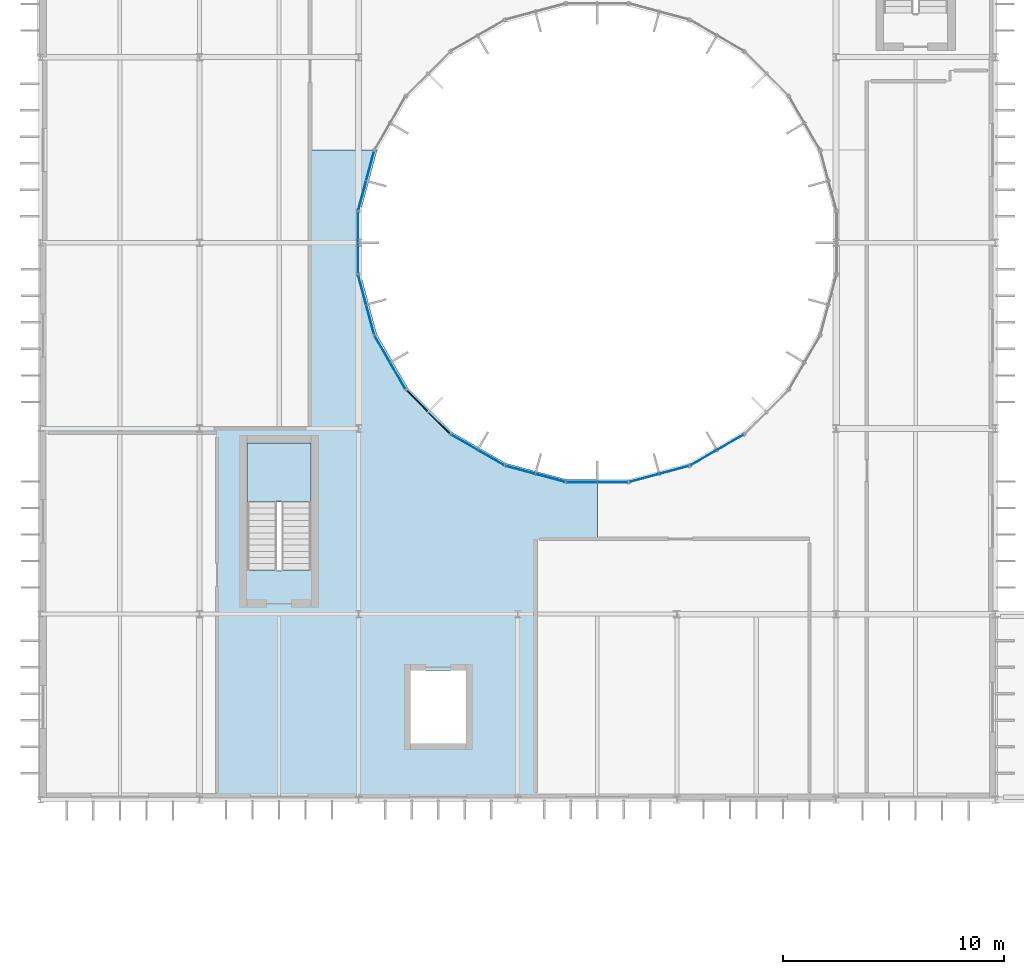
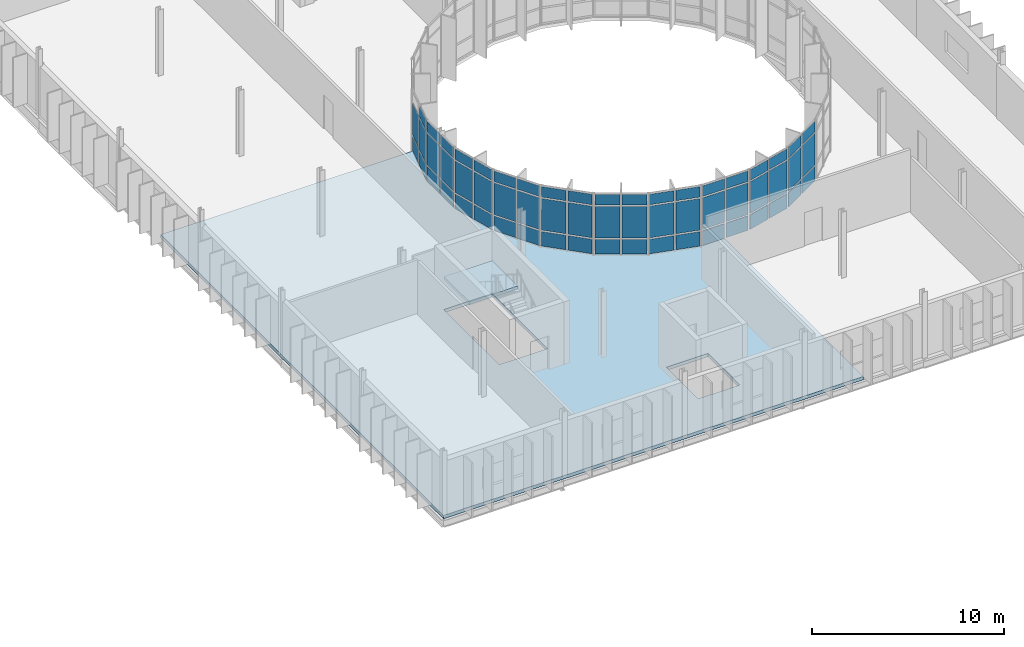
# One storey, part 33 of 61: 59 plates, 2 slabs, 11 elements without a shape of their own.
"""IFC4 building model written with IfcOpenShell, lengths in metres."""

from ifc_helpers import new_model, si_unit, direction, frame, origin, origin_2d, place, context, subcontext, project, spatial, polyline, rectangle, outline, extrude, material, layer, layer_set, type_object, element, aggregate, save


model = new_model("IFC4")

# Units and contexts
model_context = context("Model", 3, precision=1e-05, world=origin(), true_north=direction((0.0, 1.0)))
body_context = subcontext(model_context, "Body", "Model", "MODEL_VIEW")
ifc_project = project(units=[si_unit("LENGTHUNIT", "METRE"), si_unit("AREAUNIT", "SQUARE_METRE"), si_unit("VOLUMEUNIT", "CUBIC_METRE"), si_unit("PLANEANGLEUNIT", "RADIAN"), si_unit("MASSUNIT", "GRAM", prefix="KILO")], contexts=[model_context])

# Site, building, storey
site_placement = place(None, origin())
site = spatial("IfcSite", under=ifc_project, at=site_placement, CompositionType="ELEMENT")
building_placement = place(site_placement, origin())
building = spatial("IfcBuilding", under=site, at=building_placement, Name="Qelthora Terrace Specialist Clinic", CompositionType="ELEMENT")
storey_placement = place(building_placement, frame((0.0, 0.0, 13.199951171875)))
storey = spatial("IfcBuildingStorey", under=building, at=storey_placement, Name="L03", CompositionType="ELEMENT", Elevation=13.199951171875)

# Curtain wall, plates
ifc_material_1 = material(Name="Aluminium anodized bronze", Category="aluminium")
curtain_wall_type = type_object("IfcCurtainWallType", Name="CW-CRTW-UPP", PredefinedType="NOTDEFINED", material=ifc_material_1)
curtain_wall_1_placement = place(storey_placement, origin())
curtain_wall_1 = element("IfcCurtainWall", 1, at=curtain_wall_1_placement, inside=storey, type_object=curtain_wall_type, Name="Curtain wall CW-CW-L03-11", PredefinedType="NOTDEFINED")
ifc_material_2 = material(Name="Low-E triple-silver insulating glass", Category="glass")
ifc_layer_1 = layer(ifc_material_2, 0.035888671875)
ifc_layer_set_1 = layer_set([ifc_layer_1], Name="Low-E triple-silver insulating glass")
plate_type = type_object("IfcPlateType", Name="CWP-IGU-36", PredefinedType="CURTAIN_PANEL", material=ifc_layer_set_1)
plate_1_placement = place(storey_placement, frame((14.923828125, 87.483154296875, 0.085205078125), z_axis=(0.0, 0.0, 1.0), x_axis=(-0.258820730961, -0.965925374563, 0.0)))
plate_1 = element("IfcPlate", 2, at=plate_1_placement, type_object=plate_type, Name="CW-CW-L03-11 glazed panel 1", PredefinedType="CURTAIN_PANEL", context=body_context, shape_type="SweptSolid", body=[
    extrude(rectangle(XDim=1.3095703125, YDim=0.035888671875, at=origin_2d()), origin(), (0.0, 0.0, 1.0), 0.919921875),
])
plate_2_placement = place(storey_placement, frame((14.923828125, 87.483154296875, 1.09521484375), z_axis=(0.0, 0.0, 1.0), x_axis=(-0.258820730961, -0.965925374563, 0.0)))
plate_2 = element("IfcPlate", 3, at=plate_2_placement, type_object=plate_type, Name="CW-CW-L03-11 glazed panel 2", PredefinedType="CURTAIN_PANEL", context=body_context, shape_type="SweptSolid", body=[
    extrude(rectangle(XDim=1.3095703125, YDim=0.035888671875, at=origin_2d()), origin(), (0.0, 0.0, 1.0), 2.0048828125),
])
plate_3_placement = place(storey_placement, frame((14.558837890625, 86.12158203125, 0.085205078125), z_axis=(0.0, 0.0, 1.0), x_axis=(-0.258820730961, -0.965925374563, 0.0)))
plate_3 = element("IfcPlate", 4, at=plate_3_placement, type_object=plate_type, Name="CW-CW-L03-11 glazed panel 4", PredefinedType="CURTAIN_PANEL", context=body_context, shape_type="SweptSolid", body=[
    extrude(rectangle(XDim=1.3095703125, YDim=0.035888671875, at=origin_2d()), origin(), (0.0, 0.0, 1.0), 0.919921875),
])
plate_4_placement = place(storey_placement, frame((14.558837890625, 86.12158203125, 1.09521484375), z_axis=(0.0, 0.0, 1.0), x_axis=(-0.258820730961, -0.965925374563, 0.0)))
plate_4 = element("IfcPlate", 5, at=plate_4_placement, type_object=plate_type, Name="CW-CW-L03-11 glazed panel 5", PredefinedType="CURTAIN_PANEL", context=body_context, shape_type="SweptSolid", body=[
    extrude(rectangle(XDim=1.3095703125, YDim=0.035888671875, at=origin_2d()), origin(), (0.0, 0.0, 1.0), 2.0048828125),
])
plate_5_placement = place(storey_placement, frame((14.558837890625, 86.12158203125, 3.190185546875), z_axis=(0.0, 0.0, 1.0), x_axis=(-0.258820730961, -0.965925374563, 0.0)))
plate_5 = element("IfcPlate", 6, at=plate_5_placement, type_object=plate_type, Name="CW-CW-L03-11 glazed panel 6", PredefinedType="CURTAIN_PANEL", context=body_context, shape_type="SweptSolid", body=[
    extrude(rectangle(XDim=1.3095703125, YDim=0.035888671875, at=origin_2d()), origin(), (0.0, 0.0, 1.0), 0.669921875),
])
aggregate(curtain_wall_1, [plate_1, plate_2, plate_3, plate_4, plate_5])

curtain_wall_2_placement = place(storey_placement, origin())
curtain_wall_2 = element("IfcCurtainWall", 7, at=curtain_wall_2_placement, inside=storey, type_object=curtain_wall_type, Name="Curtain wall CW-CW-L03-12", PredefinedType="NOTDEFINED")
plate_6_placement = place(storey_placement, frame((14.372314453125, 84.704833984375, 0.085205078125), z_axis=(0.0, 0.0, 1.0), x_axis=(0.0, -1.0, 0.0)))
plate_6 = element("IfcPlate", 8, at=plate_6_placement, type_object=plate_type, Name="CW-CW-L03-12 glazed panel 1", PredefinedType="CURTAIN_PANEL", context=body_context, shape_type="SweptSolid", body=[
    extrude(rectangle(XDim=1.3095703125, YDim=0.035888671875, at=origin_2d()), origin(), (0.0, 0.0, 1.0), 0.919921875),
])
plate_7_placement = place(storey_placement, frame((14.372314453125, 84.704833984375, 1.09521484375), z_axis=(0.0, 0.0, 1.0), x_axis=(0.0, -1.0, 0.0)))
plate_7 = element("IfcPlate", 9, at=plate_7_placement, type_object=plate_type, Name="CW-CW-L03-12 glazed panel 2", PredefinedType="CURTAIN_PANEL", context=body_context, shape_type="SweptSolid", body=[
    extrude(rectangle(XDim=1.3095703125, YDim=0.035888671875, at=origin_2d()), origin(), (0.0, 0.0, 1.0), 2.0048828125),
])
plate_8_placement = place(storey_placement, frame((14.372314453125, 84.704833984375, 3.190185546875), z_axis=(0.0, 0.0, 1.0), x_axis=(0.0, -1.0, 0.0)))
plate_8 = element("IfcPlate", 10, at=plate_8_placement, type_object=plate_type, Name="CW-CW-L03-12 glazed panel 3", PredefinedType="CURTAIN_PANEL", context=body_context, shape_type="SweptSolid", body=[
    extrude(rectangle(XDim=1.3095703125, YDim=0.035888671875, at=origin_2d()), origin(), (0.0, 0.0, 1.0), 0.669921875),
])
plate_9_placement = place(storey_placement, frame((14.372314453125, 83.295166015625, 0.085205078125), z_axis=(0.0, 0.0, 1.0), x_axis=(0.0, -1.0, 0.0)))
plate_9 = element("IfcPlate", 11, at=plate_9_placement, type_object=plate_type, Name="CW-CW-L03-12 glazed panel 4", PredefinedType="CURTAIN_PANEL", context=body_context, shape_type="SweptSolid", body=[
    extrude(rectangle(XDim=1.3095703125, YDim=0.035888671875, at=origin_2d()), origin(), (0.0, 0.0, 1.0), 0.919921875),
])
plate_10_placement = place(storey_placement, frame((14.372314453125, 83.295166015625, 1.09521484375), z_axis=(0.0, 0.0, 1.0), x_axis=(0.0, -1.0, 0.0)))
plate_10 = element("IfcPlate", 12, at=plate_10_placement, type_object=plate_type, Name="CW-CW-L03-12 glazed panel 5", PredefinedType="CURTAIN_PANEL", context=body_context, shape_type="SweptSolid", body=[
    extrude(rectangle(XDim=1.3095703125, YDim=0.035888671875, at=origin_2d()), origin(), (0.0, 0.0, 1.0), 2.0048828125),
])
plate_11_placement = place(storey_placement, frame((14.372314453125, 83.295166015625, 3.190185546875), z_axis=(0.0, 0.0, 1.0), x_axis=(0.0, -1.0, 0.0)))
plate_11 = element("IfcPlate", 13, at=plate_11_placement, type_object=plate_type, Name="CW-CW-L03-12 glazed panel 6", PredefinedType="CURTAIN_PANEL", context=body_context, shape_type="SweptSolid", body=[
    extrude(rectangle(XDim=1.3095703125, YDim=0.035888671875, at=origin_2d()), origin(), (0.0, 0.0, 1.0), 0.669921875),
])
aggregate(curtain_wall_2, [plate_6, plate_7, plate_8, plate_9, plate_10, plate_11])

curtain_wall_3_placement = place(storey_placement, origin())
curtain_wall_3 = element("IfcCurtainWall", 14, at=curtain_wall_3_placement, inside=storey, type_object=curtain_wall_type, Name="Curtain wall CW-CW-L03-13", PredefinedType="NOTDEFINED")
plate_12_placement = place(storey_placement, frame((14.558837890625, 81.87841796875, 0.085205078125), z_axis=(0.0, 0.0, 1.0), x_axis=(0.258820730961, -0.965925374563, 0.0)))
plate_12 = element("IfcPlate", 15, at=plate_12_placement, type_object=plate_type, Name="CW-CW-L03-13 glazed panel 1", PredefinedType="CURTAIN_PANEL", context=body_context, shape_type="SweptSolid", body=[
    extrude(rectangle(XDim=1.3095703125, YDim=0.035888671875, at=origin_2d()), origin(), (0.0, 0.0, 1.0), 0.919921875),
])
plate_13_placement = place(storey_placement, frame((14.558837890625, 81.87841796875, 1.09521484375), z_axis=(0.0, 0.0, 1.0), x_axis=(0.258820730961, -0.965925374563, 0.0)))
plate_13 = element("IfcPlate", 16, at=plate_13_placement, type_object=plate_type, Name="CW-CW-L03-13 glazed panel 2", PredefinedType="CURTAIN_PANEL", context=body_context, shape_type="SweptSolid", body=[
    extrude(rectangle(XDim=1.3095703125, YDim=0.035888671875, at=origin_2d()), origin(), (0.0, 0.0, 1.0), 2.0048828125),
])
plate_14_placement = place(storey_placement, frame((14.558837890625, 81.87841796875, 3.190185546875), z_axis=(0.0, 0.0, 1.0), x_axis=(0.258820730961, -0.965925374563, 0.0)))
plate_14 = element("IfcPlate", 17, at=plate_14_placement, type_object=plate_type, Name="CW-CW-L03-13 glazed panel 3", PredefinedType="CURTAIN_PANEL", context=body_context, shape_type="SweptSolid", body=[
    extrude(rectangle(XDim=1.3095703125, YDim=0.035888671875, at=origin_2d()), origin(), (0.0, 0.0, 1.0), 0.669921875),
])
plate_15_placement = place(storey_placement, frame((14.923828125, 80.516845703125, 0.085205078125), z_axis=(0.0, 0.0, 1.0), x_axis=(0.258820730961, -0.965925374563, 0.0)))
plate_15 = element("IfcPlate", 18, at=plate_15_placement, type_object=plate_type, Name="CW-CW-L03-13 glazed panel 4", PredefinedType="CURTAIN_PANEL", context=body_context, shape_type="SweptSolid", body=[
    extrude(rectangle(XDim=1.3095703125, YDim=0.035888671875, at=origin_2d()), origin(), (0.0, 0.0, 1.0), 0.919921875),
])
plate_16_placement = place(storey_placement, frame((14.923828125, 80.516845703125, 1.09521484375), z_axis=(0.0, 0.0, 1.0), x_axis=(0.258820730961, -0.965925374563, 0.0)))
plate_16 = element("IfcPlate", 19, at=plate_16_placement, type_object=plate_type, Name="CW-CW-L03-13 glazed panel 5", PredefinedType="CURTAIN_PANEL", context=body_context, shape_type="SweptSolid", body=[
    extrude(rectangle(XDim=1.3095703125, YDim=0.035888671875, at=origin_2d()), origin(), (0.0, 0.0, 1.0), 2.0048828125),
])
plate_17_placement = place(storey_placement, frame((14.923828125, 80.516845703125, 3.190185546875), z_axis=(0.0, 0.0, 1.0), x_axis=(0.258820730961, -0.965925374563, 0.0)))
plate_17 = element("IfcPlate", 20, at=plate_17_placement, type_object=plate_type, Name="CW-CW-L03-13 glazed panel 6", PredefinedType="CURTAIN_PANEL", context=body_context, shape_type="SweptSolid", body=[
    extrude(rectangle(XDim=1.3095703125, YDim=0.035888671875, at=origin_2d()), origin(), (0.0, 0.0, 1.0), 0.669921875),
])
aggregate(curtain_wall_3, [plate_12, plate_13, plate_14, plate_15, plate_16, plate_17])

curtain_wall_4_placement = place(storey_placement, origin())
curtain_wall_4 = element("IfcCurtainWall", 21, at=curtain_wall_4_placement, inside=storey, type_object=curtain_wall_type, Name="Curtain wall CW-CW-L03-14", PredefinedType="NOTDEFINED")
plate_18_placement = place(storey_placement, frame((15.470703125, 79.196533203125, 0.085205078125), z_axis=(0.0, 0.0, 1.0), x_axis=(0.5, -0.866025403784, 0.0)))
plate_18 = element("IfcPlate", 22, at=plate_18_placement, type_object=plate_type, Name="CW-CW-L03-14 glazed panel 1", PredefinedType="CURTAIN_PANEL", context=body_context, shape_type="SweptSolid", body=[
    extrude(rectangle(XDim=1.3095703125, YDim=0.035888671875, at=origin_2d()), origin(), (0.0, 0.0, 1.0), 0.919921875),
])
plate_19_placement = place(storey_placement, frame((15.470703125, 79.196533203125, 1.09521484375), z_axis=(0.0, 0.0, 1.0), x_axis=(0.5, -0.866025403784, 0.0)))
plate_19 = element("IfcPlate", 23, at=plate_19_placement, type_object=plate_type, Name="CW-CW-L03-14 glazed panel 2", PredefinedType="CURTAIN_PANEL", context=body_context, shape_type="SweptSolid", body=[
    extrude(rectangle(XDim=1.3095703125, YDim=0.035888671875, at=origin_2d()), origin(), (0.0, 0.0, 1.0), 2.0048828125),
])
plate_20_placement = place(storey_placement, frame((15.470703125, 79.196533203125, 3.190185546875), z_axis=(0.0, 0.0, 1.0), x_axis=(0.5, -0.866025403784, 0.0)))
plate_20 = element("IfcPlate", 24, at=plate_20_placement, type_object=plate_type, Name="CW-CW-L03-14 glazed panel 3", PredefinedType="CURTAIN_PANEL", context=body_context, shape_type="SweptSolid", body=[
    extrude(rectangle(XDim=1.3095703125, YDim=0.035888671875, at=origin_2d()), origin(), (0.0, 0.0, 1.0), 0.669921875),
])
plate_21_placement = place(storey_placement, frame((16.175537109375, 77.975830078125, 0.085205078125), z_axis=(0.0, 0.0, 1.0), x_axis=(0.5, -0.866025403784, 0.0)))
plate_21 = element("IfcPlate", 25, at=plate_21_placement, type_object=plate_type, Name="CW-CW-L03-14 glazed panel 4", PredefinedType="CURTAIN_PANEL", context=body_context, shape_type="SweptSolid", body=[
    extrude(rectangle(XDim=1.3095703125, YDim=0.035888671875, at=origin_2d()), origin(), (0.0, 0.0, 1.0), 0.919921875),
])
plate_22_placement = place(storey_placement, frame((16.175537109375, 77.975830078125, 1.09521484375), z_axis=(0.0, 0.0, 1.0), x_axis=(0.5, -0.866025403784, 0.0)))
plate_22 = element("IfcPlate", 26, at=plate_22_placement, type_object=plate_type, Name="CW-CW-L03-14 glazed panel 5", PredefinedType="CURTAIN_PANEL", context=body_context, shape_type="SweptSolid", body=[
    extrude(rectangle(XDim=1.3095703125, YDim=0.035888671875, at=origin_2d()), origin(), (0.0, 0.0, 1.0), 2.0048828125),
])
plate_23_placement = place(storey_placement, frame((16.175537109375, 77.975830078125, 3.190185546875), z_axis=(0.0, 0.0, 1.0), x_axis=(0.5, -0.866025403784, 0.0)))
plate_23 = element("IfcPlate", 27, at=plate_23_placement, type_object=plate_type, Name="CW-CW-L03-14 glazed panel 6", PredefinedType="CURTAIN_PANEL", context=body_context, shape_type="SweptSolid", body=[
    extrude(rectangle(XDim=1.3095703125, YDim=0.035888671875, at=origin_2d()), origin(), (0.0, 0.0, 1.0), 0.669921875),
])
aggregate(curtain_wall_4, [plate_18, plate_19, plate_20, plate_21, plate_22, plate_23])

curtain_wall_5_placement = place(storey_placement, origin())
curtain_wall_5 = element("IfcCurtainWall", 28, at=curtain_wall_5_placement, inside=storey, type_object=curtain_wall_type, Name="Curtain wall CW-CW-L03-15", PredefinedType="NOTDEFINED")
plate_24_placement = place(storey_placement, frame((17.04541015625, 76.842041015625, 0.085205078125), z_axis=(0.0, 0.0, 1.0), x_axis=(0.707106781187, -0.707106781187, 0.0)))
plate_24 = element("IfcPlate", 29, at=plate_24_placement, type_object=plate_type, Name="CW-CW-L03-15 glazed panel 1", PredefinedType="CURTAIN_PANEL", context=body_context, shape_type="SweptSolid", body=[
    extrude(rectangle(XDim=1.3095703125, YDim=0.035888671875, at=origin_2d()), origin(), (0.0, 0.0, 1.0), 0.919921875),
])
plate_25_placement = place(storey_placement, frame((17.04541015625, 76.842041015625, 1.09521484375), z_axis=(0.0, 0.0, 1.0), x_axis=(0.707106781187, -0.707106781187, 0.0)))
plate_25 = element("IfcPlate", 30, at=plate_25_placement, type_object=plate_type, Name="CW-CW-L03-15 glazed panel 2", PredefinedType="CURTAIN_PANEL", context=body_context, shape_type="SweptSolid", body=[
    extrude(rectangle(XDim=1.3095703125, YDim=0.035888671875, at=origin_2d()), origin(), (0.0, 0.0, 1.0), 2.0048828125),
])
plate_26_placement = place(storey_placement, frame((17.04541015625, 76.842041015625, 3.190185546875), z_axis=(0.0, 0.0, 1.0), x_axis=(0.707106781187, -0.707106781187, 0.0)))
plate_26 = element("IfcPlate", 31, at=plate_26_placement, type_object=plate_type, Name="CW-CW-L03-15 glazed panel 3", PredefinedType="CURTAIN_PANEL", context=body_context, shape_type="SweptSolid", body=[
    extrude(rectangle(XDim=1.3095703125, YDim=0.035888671875, at=origin_2d()), origin(), (0.0, 0.0, 1.0), 0.669921875),
])
plate_27_placement = place(storey_placement, frame((18.042236328125, 75.84521484375, 0.085205078125), z_axis=(0.0, 0.0, 1.0), x_axis=(0.707106781187, -0.707106781187, 0.0)))
plate_27 = element("IfcPlate", 32, at=plate_27_placement, type_object=plate_type, Name="CW-CW-L03-15 glazed panel 4", PredefinedType="CURTAIN_PANEL", context=body_context, shape_type="SweptSolid", body=[
    extrude(rectangle(XDim=1.3095703125, YDim=0.035888671875, at=origin_2d()), origin(), (0.0, 0.0, 1.0), 0.919921875),
])
plate_28_placement = place(storey_placement, frame((18.042236328125, 75.84521484375, 1.09521484375), z_axis=(0.0, 0.0, 1.0), x_axis=(0.707106781187, -0.707106781187, 0.0)))
plate_28 = element("IfcPlate", 33, at=plate_28_placement, type_object=plate_type, Name="CW-CW-L03-15 glazed panel 5", PredefinedType="CURTAIN_PANEL", context=body_context, shape_type="SweptSolid", body=[
    extrude(rectangle(XDim=1.3095703125, YDim=0.035888671875, at=origin_2d()), origin(), (0.0, 0.0, 1.0), 2.0048828125),
])
plate_29_placement = place(storey_placement, frame((18.042236328125, 75.84521484375, 3.190185546875), z_axis=(0.0, 0.0, 1.0), x_axis=(0.707106781187, -0.707106781187, 0.0)))
plate_29 = element("IfcPlate", 34, at=plate_29_placement, type_object=plate_type, Name="CW-CW-L03-15 glazed panel 6", PredefinedType="CURTAIN_PANEL", context=body_context, shape_type="SweptSolid", body=[
    extrude(rectangle(XDim=1.3095703125, YDim=0.035888671875, at=origin_2d()), origin(), (0.0, 0.0, 1.0), 0.669921875),
])
aggregate(curtain_wall_5, [plate_24, plate_25, plate_26, plate_27, plate_28, plate_29])

curtain_wall_6_placement = place(storey_placement, origin())
curtain_wall_6 = element("IfcCurtainWall", 35, at=curtain_wall_6_placement, inside=storey, type_object=curtain_wall_type, Name="Curtain wall CW-CW-L03-16", PredefinedType="NOTDEFINED")
plate_30_placement = place(storey_placement, frame((19.17578125, 74.975341796875, 0.085205078125), z_axis=(0.0, 0.0, 1.0), x_axis=(0.866025403784, -0.5, 0.0)))
plate_30 = element("IfcPlate", 36, at=plate_30_placement, type_object=plate_type, Name="CW-CW-L03-16 glazed panel 1", PredefinedType="CURTAIN_PANEL", context=body_context, shape_type="SweptSolid", body=[
    extrude(rectangle(XDim=1.3095703125, YDim=0.035888671875, at=origin_2d()), origin(), (0.0, 0.0, 1.0), 0.919921875),
])
plate_31_placement = place(storey_placement, frame((19.17578125, 74.975341796875, 1.09521484375), z_axis=(0.0, 0.0, 1.0), x_axis=(0.866025403784, -0.5, 0.0)))
plate_31 = element("IfcPlate", 37, at=plate_31_placement, type_object=plate_type, Name="CW-CW-L03-16 glazed panel 2", PredefinedType="CURTAIN_PANEL", context=body_context, shape_type="SweptSolid", body=[
    extrude(rectangle(XDim=1.3095703125, YDim=0.035888671875, at=origin_2d()), origin(), (0.0, 0.0, 1.0), 2.0048828125),
])
plate_32_placement = place(storey_placement, frame((19.17578125, 74.975341796875, 3.190185546875), z_axis=(0.0, 0.0, 1.0), x_axis=(0.866025403784, -0.5, 0.0)))
plate_32 = element("IfcPlate", 38, at=plate_32_placement, type_object=plate_type, Name="CW-CW-L03-16 glazed panel 3", PredefinedType="CURTAIN_PANEL", context=body_context, shape_type="SweptSolid", body=[
    extrude(rectangle(XDim=1.3095703125, YDim=0.035888671875, at=origin_2d()), origin(), (0.0, 0.0, 1.0), 0.669921875),
])
plate_33_placement = place(storey_placement, frame((20.396728515625, 74.2705078125, 0.085205078125), z_axis=(0.0, 0.0, 1.0), x_axis=(0.866025403784, -0.5, 0.0)))
plate_33 = element("IfcPlate", 39, at=plate_33_placement, type_object=plate_type, Name="CW-CW-L03-16 glazed panel 4", PredefinedType="CURTAIN_PANEL", context=body_context, shape_type="SweptSolid", body=[
    extrude(rectangle(XDim=1.3095703125, YDim=0.035888671875, at=origin_2d()), origin(), (0.0, 0.0, 1.0), 0.919921875),
])
plate_34_placement = place(storey_placement, frame((20.396728515625, 74.2705078125, 1.09521484375), z_axis=(0.0, 0.0, 1.0), x_axis=(0.866025403784, -0.5, 0.0)))
plate_34 = element("IfcPlate", 40, at=plate_34_placement, type_object=plate_type, Name="CW-CW-L03-16 glazed panel 5", PredefinedType="CURTAIN_PANEL", context=body_context, shape_type="SweptSolid", body=[
    extrude(rectangle(XDim=1.3095703125, YDim=0.035888671875, at=origin_2d()), origin(), (0.0, 0.0, 1.0), 2.0048828125),
])
plate_35_placement = place(storey_placement, frame((20.396728515625, 74.2705078125, 3.190185546875), z_axis=(0.0, 0.0, 1.0), x_axis=(0.866025403784, -0.5, 0.0)))
plate_35 = element("IfcPlate", 41, at=plate_35_placement, type_object=plate_type, Name="CW-CW-L03-16 glazed panel 6", PredefinedType="CURTAIN_PANEL", context=body_context, shape_type="SweptSolid", body=[
    extrude(rectangle(XDim=1.3095703125, YDim=0.035888671875, at=origin_2d()), origin(), (0.0, 0.0, 1.0), 0.669921875),
])
aggregate(curtain_wall_6, [plate_30, plate_31, plate_32, plate_33, plate_34, plate_35])

curtain_wall_7_placement = place(storey_placement, origin())
curtain_wall_7 = element("IfcCurtainWall", 42, at=curtain_wall_7_placement, inside=storey, type_object=curtain_wall_type, Name="Curtain wall CW-CW-L03-17", PredefinedType="NOTDEFINED")
plate_36_placement = place(storey_placement, frame((21.716796875, 73.723876953125, 0.085205078125), z_axis=(0.0, 0.0, 1.0), x_axis=(0.965925374563, -0.258820730961, 0.0)))
plate_36 = element("IfcPlate", 43, at=plate_36_placement, type_object=plate_type, Name="CW-CW-L03-17 glazed panel 1", PredefinedType="CURTAIN_PANEL", context=body_context, shape_type="SweptSolid", body=[
    extrude(rectangle(XDim=1.3095703125, YDim=0.035888671875, at=origin_2d()), origin(), (0.0, 0.0, 1.0), 0.919921875),
])
plate_37_placement = place(storey_placement, frame((21.716796875, 73.723876953125, 1.09521484375), z_axis=(0.0, 0.0, 1.0), x_axis=(0.965925374563, -0.258820730961, 0.0)))
plate_37 = element("IfcPlate", 44, at=plate_37_placement, type_object=plate_type, Name="CW-CW-L03-17 glazed panel 2", PredefinedType="CURTAIN_PANEL", context=body_context, shape_type="SweptSolid", body=[
    extrude(rectangle(XDim=1.3095703125, YDim=0.035888671875, at=origin_2d()), origin(), (0.0, 0.0, 1.0), 2.0048828125),
])
plate_38_placement = place(storey_placement, frame((21.716796875, 73.723876953125, 3.190185546875), z_axis=(0.0, 0.0, 1.0), x_axis=(0.965925374563, -0.258820730961, 0.0)))
plate_38 = element("IfcPlate", 45, at=plate_38_placement, type_object=plate_type, Name="CW-CW-L03-17 glazed panel 3", PredefinedType="CURTAIN_PANEL", context=body_context, shape_type="SweptSolid", body=[
    extrude(rectangle(XDim=1.3095703125, YDim=0.035888671875, at=origin_2d()), origin(), (0.0, 0.0, 1.0), 0.669921875),
])
plate_39_placement = place(storey_placement, frame((23.078369140625, 73.35888671875, 0.085205078125), z_axis=(0.0, 0.0, 1.0), x_axis=(0.965925374563, -0.258820730961, 0.0)))
plate_39 = element("IfcPlate", 46, at=plate_39_placement, type_object=plate_type, Name="CW-CW-L03-17 glazed panel 4", PredefinedType="CURTAIN_PANEL", context=body_context, shape_type="SweptSolid", body=[
    extrude(rectangle(XDim=1.3095703125, YDim=0.035888671875, at=origin_2d()), origin(), (0.0, 0.0, 1.0), 0.919921875),
])
plate_40_placement = place(storey_placement, frame((23.078369140625, 73.35888671875, 1.09521484375), z_axis=(0.0, 0.0, 1.0), x_axis=(0.965925374563, -0.258820730961, 0.0)))
plate_40 = element("IfcPlate", 47, at=plate_40_placement, type_object=plate_type, Name="CW-CW-L03-17 glazed panel 5", PredefinedType="CURTAIN_PANEL", context=body_context, shape_type="SweptSolid", body=[
    extrude(rectangle(XDim=1.3095703125, YDim=0.035888671875, at=origin_2d()), origin(), (0.0, 0.0, 1.0), 2.0048828125),
])
plate_41_placement = place(storey_placement, frame((23.078369140625, 73.35888671875, 3.190185546875), z_axis=(0.0, 0.0, 1.0), x_axis=(0.965925374563, -0.258820730961, 0.0)))
plate_41 = element("IfcPlate", 48, at=plate_41_placement, type_object=plate_type, Name="CW-CW-L03-17 glazed panel 6", PredefinedType="CURTAIN_PANEL", context=body_context, shape_type="SweptSolid", body=[
    extrude(rectangle(XDim=1.3095703125, YDim=0.035888671875, at=origin_2d()), origin(), (0.0, 0.0, 1.0), 0.669921875),
])
aggregate(curtain_wall_7, [plate_36, plate_37, plate_38, plate_39, plate_40, plate_41])

curtain_wall_8_placement = place(storey_placement, origin())
curtain_wall_8 = element("IfcCurtainWall", 49, at=curtain_wall_8_placement, inside=storey, type_object=curtain_wall_type, Name="Curtain wall CW-CW-L03-18", PredefinedType="NOTDEFINED")
plate_42_placement = place(storey_placement, frame((24.4951171875, 73.17236328125, 0.085205078125), z_axis=(0.0, 0.0, 1.0), x_axis=(1.0, 0.0, 0.0)))
plate_42 = element("IfcPlate", 50, at=plate_42_placement, type_object=plate_type, Name="CW-CW-L03-18 glazed panel 1", PredefinedType="CURTAIN_PANEL", context=body_context, shape_type="SweptSolid", body=[
    extrude(rectangle(XDim=1.3095703125, YDim=0.035888671875, at=origin_2d()), origin(), (0.0, 0.0, 1.0), 0.919921875),
])
plate_43_placement = place(storey_placement, frame((24.4951171875, 73.17236328125, 1.09521484375), z_axis=(0.0, 0.0, 1.0), x_axis=(1.0, 0.0, 0.0)))
plate_43 = element("IfcPlate", 51, at=plate_43_placement, type_object=plate_type, Name="CW-CW-L03-18 glazed panel 2", PredefinedType="CURTAIN_PANEL", context=body_context, shape_type="SweptSolid", body=[
    extrude(rectangle(XDim=1.3095703125, YDim=0.035888671875, at=origin_2d()), origin(), (0.0, 0.0, 1.0), 2.0048828125),
])
plate_44_placement = place(storey_placement, frame((24.4951171875, 73.17236328125, 3.190185546875), z_axis=(0.0, 0.0, 1.0), x_axis=(1.0, 0.0, 0.0)))
plate_44 = element("IfcPlate", 52, at=plate_44_placement, type_object=plate_type, Name="CW-CW-L03-18 glazed panel 3", PredefinedType="CURTAIN_PANEL", context=body_context, shape_type="SweptSolid", body=[
    extrude(rectangle(XDim=1.3095703125, YDim=0.035888671875, at=origin_2d()), origin(), (0.0, 0.0, 1.0), 0.669921875),
])
plate_45_placement = place(storey_placement, frame((25.90478515625, 73.17236328125, 0.085205078125), z_axis=(0.0, 0.0, 1.0), x_axis=(1.0, 0.0, 0.0)))
plate_45 = element("IfcPlate", 53, at=plate_45_placement, type_object=plate_type, Name="CW-CW-L03-18 glazed panel 4", PredefinedType="CURTAIN_PANEL", context=body_context, shape_type="SweptSolid", body=[
    extrude(rectangle(XDim=1.3095703125, YDim=0.035888671875, at=origin_2d()), origin(), (0.0, 0.0, 1.0), 0.919921875),
])
plate_46_placement = place(storey_placement, frame((25.90478515625, 73.17236328125, 1.09521484375), z_axis=(0.0, 0.0, 1.0), x_axis=(1.0, 0.0, 0.0)))
plate_46 = element("IfcPlate", 54, at=plate_46_placement, type_object=plate_type, Name="CW-CW-L03-18 glazed panel 5", PredefinedType="CURTAIN_PANEL", context=body_context, shape_type="SweptSolid", body=[
    extrude(rectangle(XDim=1.3095703125, YDim=0.035888671875, at=origin_2d()), origin(), (0.0, 0.0, 1.0), 2.0048828125),
])
plate_47_placement = place(storey_placement, frame((25.90478515625, 73.17236328125, 3.190185546875), z_axis=(0.0, 0.0, 1.0), x_axis=(1.0, 0.0, 0.0)))
plate_47 = element("IfcPlate", 55, at=plate_47_placement, type_object=plate_type, Name="CW-CW-L03-18 glazed panel 6", PredefinedType="CURTAIN_PANEL", context=body_context, shape_type="SweptSolid", body=[
    extrude(rectangle(XDim=1.3095703125, YDim=0.035888671875, at=origin_2d()), origin(), (0.0, 0.0, 1.0), 0.669921875),
])
aggregate(curtain_wall_8, [plate_42, plate_43, plate_44, plate_45, plate_46, plate_47])

curtain_wall_9_placement = place(storey_placement, origin())
curtain_wall_9 = element("IfcCurtainWall", 56, at=curtain_wall_9_placement, inside=storey, type_object=curtain_wall_type, Name="Curtain wall CW-CW-L03-19", PredefinedType="NOTDEFINED")
plate_48_placement = place(storey_placement, frame((27.321533203125, 73.35888671875, 0.085205078125), z_axis=(0.0, 0.0, 1.0), x_axis=(0.965925374563, 0.258820730961, 0.0)))
plate_48 = element("IfcPlate", 57, at=plate_48_placement, type_object=plate_type, Name="CW-CW-L03-19 glazed panel 1", PredefinedType="CURTAIN_PANEL", context=body_context, shape_type="SweptSolid", body=[
    extrude(rectangle(XDim=1.3095703125, YDim=0.035888671875, at=origin_2d()), origin(), (0.0, 0.0, 1.0), 0.919921875),
])
plate_49_placement = place(storey_placement, frame((27.321533203125, 73.35888671875, 1.09521484375), z_axis=(0.0, 0.0, 1.0), x_axis=(0.965925374563, 0.258820730961, 0.0)))
plate_49 = element("IfcPlate", 58, at=plate_49_placement, type_object=plate_type, Name="CW-CW-L03-19 glazed panel 2", PredefinedType="CURTAIN_PANEL", context=body_context, shape_type="SweptSolid", body=[
    extrude(rectangle(XDim=1.3095703125, YDim=0.035888671875, at=origin_2d()), origin(), (0.0, 0.0, 1.0), 2.0048828125),
])
plate_50_placement = place(storey_placement, frame((27.321533203125, 73.35888671875, 3.190185546875), z_axis=(0.0, 0.0, 1.0), x_axis=(0.965925374563, 0.258820730961, 0.0)))
plate_50 = element("IfcPlate", 59, at=plate_50_placement, type_object=plate_type, Name="CW-CW-L03-19 glazed panel 3", PredefinedType="CURTAIN_PANEL", context=body_context, shape_type="SweptSolid", body=[
    extrude(rectangle(XDim=1.3095703125, YDim=0.035888671875, at=origin_2d()), origin(), (0.0, 0.0, 1.0), 0.669921875),
])
plate_51_placement = place(storey_placement, frame((28.68310546875, 73.723876953125, 0.085205078125), z_axis=(0.0, 0.0, 1.0), x_axis=(0.965925374563, 0.258820730961, 0.0)))
plate_51 = element("IfcPlate", 60, at=plate_51_placement, type_object=plate_type, Name="CW-CW-L03-19 glazed panel 4", PredefinedType="CURTAIN_PANEL", context=body_context, shape_type="SweptSolid", body=[
    extrude(rectangle(XDim=1.3095703125, YDim=0.035888671875, at=origin_2d()), origin(), (0.0, 0.0, 1.0), 0.919921875),
])
plate_52_placement = place(storey_placement, frame((28.68310546875, 73.723876953125, 1.09521484375), z_axis=(0.0, 0.0, 1.0), x_axis=(0.965925374563, 0.258820730961, 0.0)))
plate_52 = element("IfcPlate", 61, at=plate_52_placement, type_object=plate_type, Name="CW-CW-L03-19 glazed panel 5", PredefinedType="CURTAIN_PANEL", context=body_context, shape_type="SweptSolid", body=[
    extrude(rectangle(XDim=1.3095703125, YDim=0.035888671875, at=origin_2d()), origin(), (0.0, 0.0, 1.0), 2.0048828125),
])
plate_53_placement = place(storey_placement, frame((28.68310546875, 73.723876953125, 3.190185546875), z_axis=(0.0, 0.0, 1.0), x_axis=(0.965925374563, 0.258820730961, 0.0)))
plate_53 = element("IfcPlate", 62, at=plate_53_placement, type_object=plate_type, Name="CW-CW-L03-19 glazed panel 6", PredefinedType="CURTAIN_PANEL", context=body_context, shape_type="SweptSolid", body=[
    extrude(rectangle(XDim=1.3095703125, YDim=0.035888671875, at=origin_2d()), origin(), (0.0, 0.0, 1.0), 0.669921875),
])
aggregate(curtain_wall_9, [plate_48, plate_49, plate_50, plate_51, plate_52, plate_53])

curtain_wall_10_placement = place(storey_placement, origin())
curtain_wall_10 = element("IfcCurtainWall", 63, at=curtain_wall_10_placement, inside=storey, type_object=curtain_wall_type, Name="Curtain wall CW-CW-L03-20", PredefinedType="NOTDEFINED")
plate_54_placement = place(storey_placement, frame((30.00341796875, 74.2705078125, 0.085205078125), z_axis=(0.0, 0.0, 1.0), x_axis=(0.866025403784, 0.5, 0.0)))
plate_54 = element("IfcPlate", 64, at=plate_54_placement, type_object=plate_type, Name="CW-CW-L03-20 glazed panel 1", PredefinedType="CURTAIN_PANEL", context=body_context, shape_type="SweptSolid", body=[
    extrude(rectangle(XDim=1.3095703125, YDim=0.035888671875, at=origin_2d()), origin(), (0.0, 0.0, 1.0), 0.919921875),
])
plate_55_placement = place(storey_placement, frame((30.00341796875, 74.2705078125, 1.09521484375), z_axis=(0.0, 0.0, 1.0), x_axis=(0.866025403784, 0.5, 0.0)))
plate_55 = element("IfcPlate", 65, at=plate_55_placement, type_object=plate_type, Name="CW-CW-L03-20 glazed panel 2", PredefinedType="CURTAIN_PANEL", context=body_context, shape_type="SweptSolid", body=[
    extrude(rectangle(XDim=1.3095703125, YDim=0.035888671875, at=origin_2d()), origin(), (0.0, 0.0, 1.0), 2.0048828125),
])
plate_56_placement = place(storey_placement, frame((30.00341796875, 74.2705078125, 3.190185546875), z_axis=(0.0, 0.0, 1.0), x_axis=(0.866025403784, 0.5, 0.0)))
plate_56 = element("IfcPlate", 66, at=plate_56_placement, type_object=plate_type, Name="CW-CW-L03-20 glazed panel 3", PredefinedType="CURTAIN_PANEL", context=body_context, shape_type="SweptSolid", body=[
    extrude(rectangle(XDim=1.3095703125, YDim=0.035888671875, at=origin_2d()), origin(), (0.0, 0.0, 1.0), 0.669921875),
])
plate_57_placement = place(storey_placement, frame((31.22412109375, 74.975341796875, 0.085205078125), z_axis=(0.0, 0.0, 1.0), x_axis=(0.866025403784, 0.5, 0.0)))
plate_57 = element("IfcPlate", 67, at=plate_57_placement, type_object=plate_type, Name="CW-CW-L03-20 glazed panel 4", PredefinedType="CURTAIN_PANEL", context=body_context, shape_type="SweptSolid", body=[
    extrude(rectangle(XDim=1.3095703125, YDim=0.035888671875, at=origin_2d()), origin(), (0.0, 0.0, 1.0), 0.919921875),
])
plate_58_placement = place(storey_placement, frame((31.22412109375, 74.975341796875, 1.09521484375), z_axis=(0.0, 0.0, 1.0), x_axis=(0.866025403784, 0.5, 0.0)))
plate_58 = element("IfcPlate", 68, at=plate_58_placement, type_object=plate_type, Name="CW-CW-L03-20 glazed panel 5", PredefinedType="CURTAIN_PANEL", context=body_context, shape_type="SweptSolid", body=[
    extrude(rectangle(XDim=1.3095703125, YDim=0.035888671875, at=origin_2d()), origin(), (0.0, 0.0, 1.0), 2.0048828125),
])
plate_59_placement = place(storey_placement, frame((31.22412109375, 74.975341796875, 3.190185546875), z_axis=(0.0, 0.0, 1.0), x_axis=(0.866025403784, 0.5, 0.0)))
plate_59 = element("IfcPlate", 69, at=plate_59_placement, type_object=plate_type, Name="CW-CW-L03-20 glazed panel 6", PredefinedType="CURTAIN_PANEL", context=body_context, shape_type="SweptSolid", body=[
    extrude(rectangle(XDim=1.3095703125, YDim=0.035888671875, at=origin_2d()), origin(), (0.0, 0.0, 1.0), 0.669921875),
])
aggregate(curtain_wall_10, [plate_54, plate_55, plate_56, plate_57, plate_58, plate_59])

# Slab
ifc_material_3 = material(Name="Concrete C30/37", Category="concrete")
ifc_layer_2 = layer(ifc_material_3, 0.2099609375)
ifc_layer_set_2 = layer_set([ifc_layer_2], Name="Concrete C30/37")
slab_type_1 = type_object("IfcSlabType", Name="SLB-FLR-210-C30", PredefinedType="FLOOR", material=ifc_layer_set_2)
slab_1_placement = place(storey_placement, frame((0.0, 0.0, -0.2099609375)))
element("IfcSlab", 70, at=slab_1_placement, inside=storey, type_object=slab_type_1, Name="L03 V5 slab SLB-L03-V5-1A", PredefinedType="FLOOR", context=body_context, shape_type="SweptSolid", body=[
    extrude(outline(polyline([(0.0, 58.800048828125), (0.0, 88.199951171875), (15.2607421875, 88.199951171875), (15.22216796875, 88.133056640625), (14.492431640625, 85.40966796875), (14.492431640625, 82.59033203125), (15.22216796875, 79.866943359375), (16.6318359375, 77.42529296875), (18.62548828125, 75.431884765625), (21.067138671875, 74.022216796875), (23.790283203125, 73.29248046875), (25.199951171875, 73.29248046875), (25.199951171875, 58.800048828125), (0.0, 58.800048828125)]), holes=[polyline([(19.25, 61.35009765625), (19.25, 64.64990234375), (16.75, 64.64990234375), (16.75, 61.35009765625), (19.25, 61.35009765625)]), polyline([(12.25, 69.20068359375), (12.25, 74.949951171875), (9.35009765625, 74.949951171875), (9.35009765625, 69.20068359375), (12.25, 69.20068359375)])]), origin(), (0.0, 0.0, 1.0), 0.2099609375),
])

# Stair, slab
stair_type = type_object("IfcStairType", Name="STR-175-280", PredefinedType="HALF_TURN_STAIR", material=ifc_material_3)
stair_placement = place(storey_placement, origin())
stair = element("IfcStair", 71, at=stair_placement, inside=storey, type_object=stair_type, Name="L03 Enclosed Exit Stair ST-01", PredefinedType="HALF_TURN_STAIR")
ifc_layer_3 = layer(ifc_material_3, 0.199951171875)
ifc_layer_set_3 = layer_set([ifc_layer_3], Name="Concrete C30/37")
slab_type_2 = type_object("IfcSlabType", Name="SLB-LAND-200-C30", PredefinedType="LANDING", material=ifc_layer_set_3)
slab_2_placement = place(storey_placement, frame((0.0, 0.0, 1.900146484375)))
slab_2 = element("IfcSlab", 72, at=slab_2_placement, type_object=slab_type_2, Name="ST-01 landing 1", PredefinedType="LANDING", context=body_context, shape_type="SweptSolid", body=[
    extrude(outline(polyline([(12.25, 72.280029296875), (12.25, 74.949951171875), (9.35009765625, 74.949951171875), (9.35009765625, 72.280029296875), (12.25, 72.280029296875)])), origin(), (0.0, 0.0, 1.0), 0.199951171875),
])
aggregate(stair, [slab_2])

save(model, "model.ifc")
